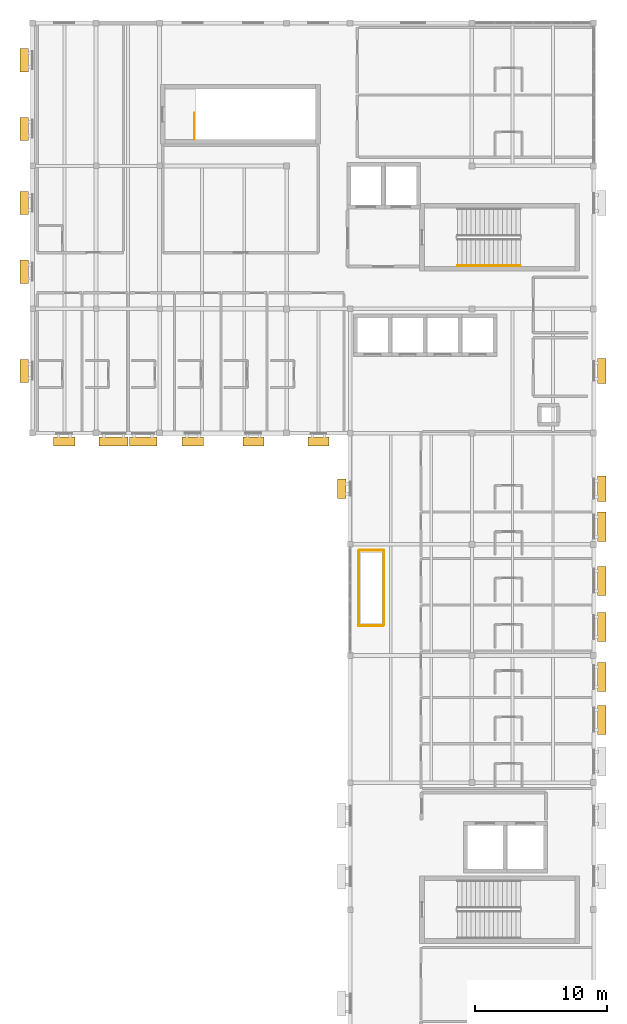
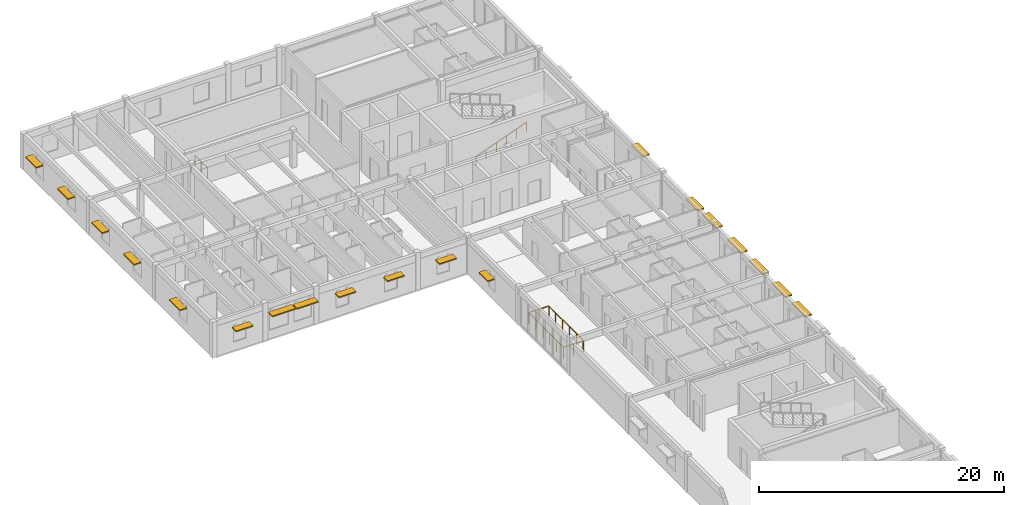
# One storey, part 16 of 17: 19 shading devices, 4 railings.
"""IFC4 building model written with IfcOpenShell, lengths in metres."""

from ifc_helpers import new_model, si_unit, direction, frame, origin, origin_2d, place, context, subcontext, project, spatial, rectangle, circle, extrude, material, type_object, element, save


model = new_model("IFC4")

# Units and contexts
model_context = context("Model", 3, precision=1e-05, world=origin(), true_north=direction((0.0, 1.0)))
body_context = subcontext(model_context, "Body", "Model", "MODEL_VIEW")
ifc_project = project(units=[si_unit("LENGTHUNIT", "METRE"), si_unit("AREAUNIT", "SQUARE_METRE"), si_unit("VOLUMEUNIT", "CUBIC_METRE"), si_unit("PLANEANGLEUNIT", "RADIAN"), si_unit("MASSUNIT", "GRAM", prefix="KILO")], contexts=[model_context])

# Site, building, storey
site_placement = place(None, origin())
site = spatial("IfcSite", under=ifc_project, at=site_placement, CompositionType="ELEMENT")
building_placement = place(site_placement, origin())
building = spatial("IfcBuilding", under=site, at=building_placement, Name="Veldera Park Congress Hotel", CompositionType="ELEMENT")
storey_placement = place(building_placement, frame((0.0, 0.0, 35.199951171875)))
storey = spatial("IfcBuildingStorey", under=building, at=storey_placement, Name="L08", CompositionType="ELEMENT", Elevation=35.199951171875)

# Railings
ifc_material_1 = material(Name="Steel ASTM A992 Gr.50", Category="steel")
railing_type_1 = type_object("IfcRailingType", Name="GRD-INT112", PredefinedType="GUARDRAIL", material=ifc_material_1)
railing_1_placement = place(storey_placement, frame((66.25, 18.110107421875, 0.0)))
element("IfcRailing", 1, at=railing_1_placement, inside=storey, type_object=railing_type_1, Name="L08 Atrium Void Guard GRD3-VOID-L08-V4-SW", PredefinedType="GUARDRAIL", context=body_context, shape_type="SweptSolid", body=[
    extrude(circle(Radius=0.02392578125, at=origin_2d()), frame((0.0, 0.0, 1.09619140625), z_axis=(0.0, -1.0, 0.0), x_axis=(1.0, 0.0, 0.0)), (0.0, 0.0, 1.0), 5.66015625),
    extrude(circle(Radius=0.02392578125, at=origin_2d()), frame((0.0, -5.66015625, 1.09619140625), z_axis=(1.0, 0.0, 0.0), x_axis=(0.0, 1.0, 0.0)), (0.0, 0.0, 1.0), 1.860107421875),
    extrude(circle(Radius=0.02099609375, at=origin_2d()), origin(), (0.0, 0.0, 1.0), 1.072021484375),
    extrude(circle(Radius=0.02099609375, at=origin_2d()), frame((0.0, -1.132080078125, 0.0)), (0.0, 0.0, 1.0), 1.072021484375),
    extrude(circle(Radius=0.02099609375, at=origin_2d()), frame((0.0, -2.26416015625, 0.0)), (0.0, 0.0, 1.0), 1.072021484375),
    extrude(circle(Radius=0.02099609375, at=origin_2d()), frame((0.0, -3.39599609375, 0.0)), (0.0, 0.0, 1.0), 1.072021484375),
    extrude(circle(Radius=0.02099609375, at=origin_2d()), frame((0.0, -4.528076171875, 0.0)), (0.0, 0.0, 1.0), 1.072021484375),
    extrude(circle(Radius=0.02099609375, at=origin_2d()), frame((0.0, -5.66015625, 0.0)), (0.0, 0.0, 1.0), 1.072021484375),
    extrude(circle(Radius=0.02099609375, at=origin_2d()), frame((0.93017578125, -5.66015625, 0.0)), (0.0, 0.0, 1.0), 1.072021484375),
    extrude(circle(Radius=0.02099609375, at=origin_2d()), frame((1.860107421875, -5.66015625, 0.0)), (0.0, 0.0, 1.0), 1.072021484375),
])
railing_2_placement = place(storey_placement, frame((68.14990234375, 12.489990234375, 0.0)))
element("IfcRailing", 2, at=railing_2_placement, inside=storey, type_object=railing_type_1, Name="L08 Atrium Void Guard GRD3-VOID-L08-V4-NE", PredefinedType="GUARDRAIL", context=body_context, shape_type="SweptSolid", body=[
    extrude(circle(Radius=0.02392578125, at=origin_2d()), frame((0.0, 0.0, 1.09619140625), z_axis=(0.0, 1.0, 0.0), x_axis=(-1.0, 0.0, 0.0)), (0.0, 0.0, 1.0), 5.659912109375),
    extrude(circle(Radius=0.02392578125, at=origin_2d()), frame((0.0, 5.659912109375, 1.09619140625), z_axis=(-1.0, 0.0, 0.0), x_axis=(0.0, -1.0, 0.0)), (0.0, 0.0, 1.0), 1.85986328125),
    extrude(circle(Radius=0.02099609375, at=origin_2d()), origin(), (0.0, 0.0, 1.0), 1.072021484375),
    extrude(circle(Radius=0.02099609375, at=origin_2d()), frame((0.0, 1.132080078125, 0.0)), (0.0, 0.0, 1.0), 1.072021484375),
    extrude(circle(Radius=0.02099609375, at=origin_2d()), frame((0.0, 2.263916015625, 0.0)), (0.0, 0.0, 1.0), 1.072021484375),
    extrude(circle(Radius=0.02099609375, at=origin_2d()), frame((0.0, 3.39599609375, 0.0)), (0.0, 0.0, 1.0), 1.072021484375),
    extrude(circle(Radius=0.02099609375, at=origin_2d()), frame((0.0, 4.52783203125, 0.0)), (0.0, 0.0, 1.0), 1.072021484375),
    extrude(circle(Radius=0.02099609375, at=origin_2d()), frame((0.0, 5.659912109375, 0.0)), (0.0, 0.0, 1.0), 1.072021484375),
    extrude(circle(Radius=0.02099609375, at=origin_2d()), frame((-0.929931640625, 5.659912109375, 0.0)), (0.0, 0.0, 1.0), 1.072021484375),
    extrude(circle(Radius=0.02099609375, at=origin_2d()), frame((-1.85986328125, 5.659912109375, 0.0)), (0.0, 0.0, 1.0), 1.072021484375),
])
railing_type_2 = type_object("IfcRailingType", Name="GRD-ST110", PredefinedType="GUARDRAIL", material=ifc_material_1)
railing_3_placement = place(storey_placement, frame((53.85009765625, 49.199951171875, 0.0)))
element("IfcRailing", 3, at=railing_3_placement, inside=storey, type_object=railing_type_2, Name="L08 ST3 top well guard 1", PredefinedType="GUARDRAIL", context=body_context, shape_type="SweptSolid", body=[
    extrude(circle(Radius=0.02392578125, at=origin_2d()), frame((0.0, 0.0, 1.076171875), z_axis=(0.0, 1.0, 0.0), x_axis=(-1.0, 0.0, 0.0)), (0.0, 0.0, 1.0), 2.0),
    extrude(circle(Radius=0.02099609375, at=origin_2d()), origin(), (0.0, 0.0, 1.0), 1.052001953125),
    extrude(circle(Radius=0.02099609375, at=origin_2d()), frame((0.0, 1.0, 0.0)), (0.0, 0.0, 1.0), 1.052001953125),
    extrude(circle(Radius=0.02099609375, at=origin_2d()), frame((0.0, 2.0, 0.0)), (0.0, 0.0, 1.0), 1.052001953125),
])
railing_type_3 = type_object("IfcRailingType", Name="HRL-920", PredefinedType="HANDRAIL", material=ifc_material_1)
railing_4_placement = place(storey_placement, frame((73.699951171875, 39.64990234375, 0.126708984375)))
element("IfcRailing", 4, at=railing_4_placement, inside=storey, type_object=railing_type_3, Name="L08 ST1 stair handrail 1", PredefinedType="HANDRAIL", context=body_context, shape_type="SweptSolid", body=[
    extrude(circle(Radius=0.02392578125, at=origin_2d()), frame((0.0, 0.0, 0.89599609375), z_axis=(0.937075640343, 0.0, 0.349126401572), x_axis=(0.0, 1.0, 0.0)), (0.0, 0.0, 1.0), 5.07958984375),
    extrude(circle(Radius=0.02099609375, at=origin_2d()), origin(), (0.0, 0.0, 1.0), 0.871826171875),
    extrude(circle(Radius=0.02099609375, at=origin_2d()), frame((0.951904296875, 0.0, 0.354736328125)), (0.0, 0.0, 1.0), 0.871826171875),
    extrude(circle(Radius=0.02099609375, at=origin_2d()), frame((1.904052734375, 0.0, 0.70947265625)), (0.0, 0.0, 1.0), 0.871826171875),
    extrude(circle(Radius=0.02099609375, at=origin_2d()), frame((2.85595703125, 0.0, 1.06396484375)), (0.0, 0.0, 1.0), 0.871826171875),
    extrude(circle(Radius=0.02099609375, at=origin_2d()), frame((3.80810546875, 0.0, 1.418701171875)), (0.0, 0.0, 1.0), 0.871826171875),
    extrude(circle(Radius=0.02099609375, at=origin_2d()), frame((4.760009765625, 0.0, 1.7734375)), (0.0, 0.0, 1.0), 0.871826171875),
])

# Shading devices
ifc_material_2 = material(Name="Glulam GL28h (NDS 24F-V4)", Category="wood")
shading_device_type = type_object("IfcShadingDeviceType", Name="SHD-LVR300", PredefinedType="JALOUSIE", material=ifc_material_2)
for number, where, z_axis, x_axis, name in (
    (5, (84.625, 22.800048828125, 2.619873046875), (0.0, 0.0, 1.0), (0.0, 1.0, 0.0), "Glulam Solar Shade 214"),
    (6, (84.625, 31.699951171875, 2.619873046875), (0.0, 0.0, 1.0), (0.0, 1.0, 0.0), "Glulam Solar Shade 215"),
):
    element("IfcShadingDevice", number, at=place(storey_placement, frame(where, z_axis=z_axis, x_axis=x_axis)), inside=storey, type_object=shading_device_type, Name=name, PredefinedType="JALOUSIE", context=body_context, shape_type="SweptSolid", body=[
        extrude(rectangle(XDim=1.89990234375, YDim=0.64990234375, at=origin_2d()), origin(), (0.0, 0.0, 1.0), 0.1201171875),
    ])
for number, where, z_axis, x_axis, name in (
    (7, (40.97509765625, 55.184814453125, 2.52001953125), (0.0, 0.0, 1.0), (0.0, -1.0, 0.0), "Glulam Solar Shade 217"),
    (8, (40.97509765625, 50.000244140625, 2.52001953125), (0.0, 0.0, 1.0), (0.0, -1.0, 0.0), "Glulam Solar Shade 218"),
    (9, (40.97509765625, 44.39599609375, 2.52001953125), (0.0, 0.0, 1.0), (0.0, -1.0, 0.0), "Glulam Solar Shade 219"),
    (10, (40.97509765625, 39.2041015625, 2.52001953125), (0.0, 0.0, 1.0), (0.0, -1.0, 0.0), "Glulam Solar Shade 220"),
    (11, (40.97509765625, 31.70751953125, 2.52001953125), (0.0, 0.0, 1.0), (0.0, -1.0, 0.0), "Glulam Solar Shade 221"),
):
    element("IfcShadingDevice", number, at=place(storey_placement, frame(where, z_axis=z_axis, x_axis=x_axis)), inside=storey, type_object=shading_device_type, Name=name, PredefinedType="JALOUSIE", context=body_context, shape_type="SweptSolid", body=[
        extrude(rectangle(XDim=1.75, YDim=0.64990234375, at=origin_2d()), origin(), (0.0, 0.0, 1.0), 0.1201171875),
    ])
for number, where, z_axis, x_axis, name in (
    (12, (44.0, 26.375, 2.419921875), (0.0, 0.0, 1.0), (1.0, 0.0, 0.0), "Glulam Solar Shade 222"),
    (13, (53.71142578125, 26.375, 2.419921875), (0.0, 0.0, 1.0), (1.0, 0.0, 0.0), "Glulam Solar Shade 223"),
    (14, (58.28857421875, 26.375, 2.419921875), (0.0, 0.0, 1.0), (1.0, 0.0, 0.0), "Glulam Solar Shade 224"),
    (15, (63.20751953125, 26.375, 2.419921875), (0.0, 0.0, 1.0), (1.0, 0.0, 0.0), "Glulam Solar Shade 225"),
):
    element("IfcShadingDevice", number, at=place(storey_placement, frame(where, z_axis=z_axis, x_axis=x_axis)), inside=storey, type_object=shading_device_type, Name=name, PredefinedType="JALOUSIE", context=body_context, shape_type="SweptSolid", body=[
        extrude(rectangle(XDim=1.60009765625, YDim=0.64990234375, at=origin_2d()), origin(), (0.0, 0.0, 1.0), 0.1201171875),
    ])
shading_device_1_placement = place(storey_placement, frame((64.97509765625, 22.800048828125, 2.320068359375), z_axis=(0.0, 0.0, 1.0), x_axis=(0.0, -1.0, 0.0)))
element("IfcShadingDevice", 16, at=shading_device_1_placement, inside=storey, type_object=shading_device_type, Name="Glulam Solar Shade 226", PredefinedType="JALOUSIE", context=body_context, shape_type="SweptSolid", body=[
    extrude(rectangle(XDim=1.449951171875, YDim=0.64990234375, at=origin_2d()), origin(), (0.0, 0.0, 1.0), 0.1201171875),
])
for number, where, z_axis, x_axis, name in (
    (17, (84.625, 5.340087890625, 2.719970703125), (0.0, 0.0, 1.0), (0.0, 1.0, 0.0), "Glulam Solar Shade 469"),
    (18, (84.625, 8.5634765625, 2.719970703125), (0.0, 0.0, 1.0), (0.0, 1.0, 0.0), "Glulam Solar Shade 470"),
    (19, (84.625, 12.340087890625, 2.719970703125), (0.0, 0.0, 1.0), (0.0, 1.0, 0.0), "Glulam Solar Shade 471"),
    (20, (84.625, 15.840087890625, 2.719970703125), (0.0, 0.0, 1.0), (0.0, 1.0, 0.0), "Glulam Solar Shade 472"),
    (21, (84.625, 19.926513671875, 2.719970703125), (0.0, 0.0, 1.0), (0.0, 1.0, 0.0), "Glulam Solar Shade 473"),
    (22, (47.7265625, 26.375, 2.719970703125), (0.0, 0.0, 1.0), (1.0, 0.0, 0.0), "Glulam Solar Shade 474"),
):
    element("IfcShadingDevice", number, at=place(storey_placement, frame(where, z_axis=z_axis, x_axis=x_axis)), inside=storey, type_object=shading_device_type, Name=name, PredefinedType="JALOUSIE", context=body_context, shape_type="SweptSolid", body=[
        extrude(rectangle(XDim=2.199951171875, YDim=0.64990234375, at=origin_2d()), origin(), (0.0, 0.0, 1.0), 0.1201171875),
    ])
shading_device_2_placement = place(storey_placement, frame((49.96337890625, 26.375, 2.669921875), z_axis=(0.0, 0.0, 1.0), x_axis=(1.0, 0.0, 0.0)))
element("IfcShadingDevice", 23, at=shading_device_2_placement, inside=storey, type_object=shading_device_type, Name="Glulam Solar Shade 475", PredefinedType="JALOUSIE", context=body_context, shape_type="SweptSolid", body=[
    extrude(rectangle(XDim=2.050048828125, YDim=0.64990234375, at=origin_2d()), origin(), (0.0, 0.0, 1.0), 0.1201171875),
])

save(model, "model.ifc")
